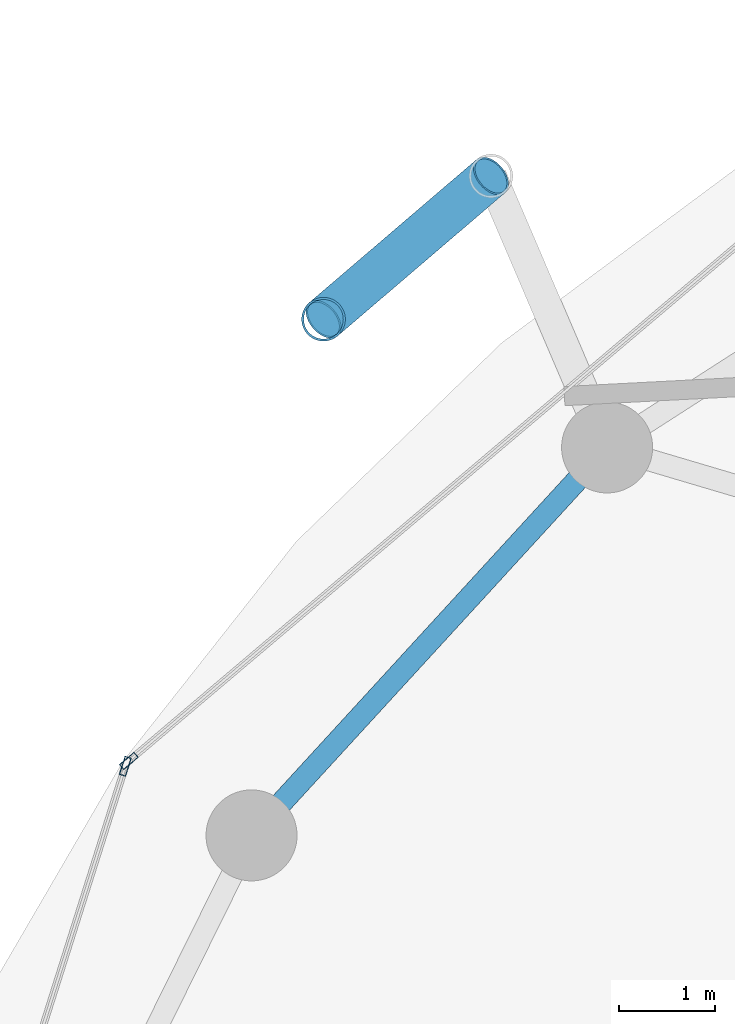
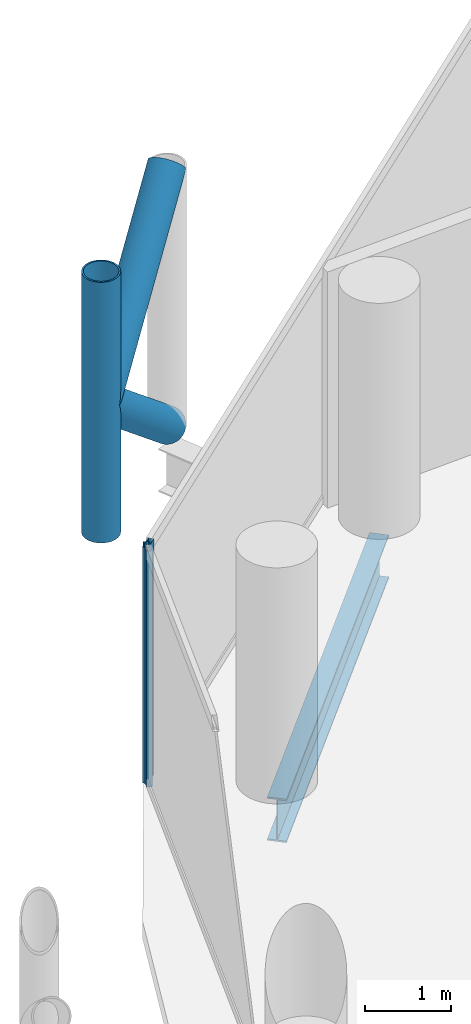
# One storey, part 13 of 26: 5 members, 1 beam, 2 elements without a shape of their own.
"""IFC4 building model written with IfcOpenShell, lengths in metres."""

from ifc_helpers import new_model, si_unit, direction, frame, origin, origin_2d, place, context, subcontext, project, spatial, hollow_rectangle, hollow_circle, i_section, extrude, material, layer, layer_set, material_profile, profile_set, type_object, element, aggregate, save


model = new_model("IFC4")

# Units and contexts
model_context = context("Model", 3, precision=1e-05, world=origin(), true_north=direction((0.0, 1.0)))
body_context = subcontext(model_context, "Body", "Model", "MODEL_VIEW")
ifc_project = project(units=[si_unit("LENGTHUNIT", "METRE"), si_unit("AREAUNIT", "SQUARE_METRE"), si_unit("VOLUMEUNIT", "CUBIC_METRE"), si_unit("PLANEANGLEUNIT", "RADIAN"), si_unit("MASSUNIT", "GRAM", prefix="KILO")], contexts=[model_context])

# Site, building, storey
site_placement = place(None, origin())
site = spatial("IfcSite", under=ifc_project, at=site_placement, CompositionType="ELEMENT")
building_placement = place(site_placement, origin())
building = spatial("IfcBuilding", under=site, at=building_placement, Name="Nuhasar Tower", CompositionType="ELEMENT")
storey_placement = place(building_placement, frame((0.0, 0.0, 192.25)))
storey = spatial("IfcBuildingStorey", under=building, at=storey_placement, Name="L47", CompositionType="ELEMENT", Elevation=192.25)

# Beam
ifc_material_1 = material(Name="Steel S355", Category="steel")
ifc_material_profile_1 = material_profile(ifc_material_1, i_section(OverallWidth=0.22998046875, OverallDepth=0.616943359375, WebThickness=0.01318359375, FlangeThickness=0.022216796875, at=origin_2d()), Name="W24X94")
ifc_profile_set_1 = profile_set([ifc_material_profile_1], Name="Steel S355")
beam_type = type_object("IfcBeamType", Name="BM-RING-W24X94", PredefinedType="SPANDREL", material=ifc_profile_set_1)
beam_placement = place(storey_placement, frame((22.489013671875, 40.6240234375, -0.55908203125), z_axis=(-0.675654174897, -0.737218716491, 0.0), x_axis=(0.737218716491, -0.675654174897, 0.0)))
element("IfcBeam", 1, at=beam_placement, inside=storey, type_object=beam_type, Name="L47 Perimeter Ring Spandrel 10", PredefinedType="SPANDREL", context=body_context, shape_type="SweptSolid", body=[
    extrude(i_section(OverallWidth=0.22998046875, OverallDepth=0.616943359375, WebThickness=0.01318359375, FlangeThickness=0.022216796875, at=origin_2d()), origin(), (0.0, 0.0, 1.0), 5.492431640625),
])

# Curtain wall, member
ifc_material_2 = material(Name="Aluminium 6063-T6", Category="aluminium")
ifc_layer = layer(ifc_material_2, 0.199951171875)
ifc_layer_set = layer_set([ifc_layer], Name="Aluminium 6063-T6")
curtain_wall_type = type_object("IfcCurtainWallType", Name="CW-Z2-HTL", PredefinedType="NOTDEFINED", material=ifc_layer_set)
curtain_wall_1_placement = place(storey_placement, origin())
curtain_wall_1 = element("IfcCurtainWall", 2, at=curtain_wall_1_placement, inside=storey, type_object=curtain_wall_type, Name="L47 Unitised Curtain Wall 05", PredefinedType="NOTDEFINED")
ifc_material_profile_2 = material_profile(ifc_material_2, hollow_rectangle(XDim=0.070068359375, YDim=0.199951171875, WallThickness=0.0048828125, at=origin_2d()), Name="CWM-3")
ifc_profile_set_2 = profile_set([ifc_material_profile_2], Name="Aluminium 6063-T6")
member_type_1 = type_object("IfcMemberType", Name="CW-MUL-S3", PredefinedType="MULLION", material=ifc_profile_set_2)
member_1_placement = place(storey_placement, frame((17.497802734375, 37.3525390625, 0.0), z_axis=(0.0, 0.0, 1.0), x_axis=(0.646374438324, -0.763020370292, 0.0)))
member_1 = element("IfcMember", 3, at=member_1_placement, type_object=member_type_1, Name="CW-Z2 mullion 2", PredefinedType="MULLION", context=body_context, shape_type="SweptSolid", body=[
    extrude(hollow_rectangle(XDim=0.070068359375, YDim=0.199951171875, WallThickness=0.0048828125, at=origin_2d()), origin(), (0.0, 0.0, 1.0), 3.35009765625),
])
aggregate(curtain_wall_1, [member_1])

curtain_wall_2_placement = place(storey_placement, origin())
curtain_wall_2 = element("IfcCurtainWall", 4, at=curtain_wall_2_placement, inside=storey, type_object=curtain_wall_type, Name="L47 Unitised Curtain Wall 06", PredefinedType="NOTDEFINED")
member_2_placement = place(storey_placement, frame((17.46044921875, 37.296630859375, 0.0), z_axis=(0.0, 0.0, 1.0), x_axis=(0.953433389233, -0.301603667577, 0.0)))
member_2 = element("IfcMember", 5, at=member_2_placement, type_object=member_type_1, Name="CW-Z2 mullion 1", PredefinedType="MULLION", context=body_context, shape_type="SweptSolid", body=[
    extrude(hollow_rectangle(XDim=0.070068359375, YDim=0.199951171875, WallThickness=0.0048828125, at=origin_2d()), origin(), (0.0, 0.0, 1.0), 3.35009765625),
])
aggregate(curtain_wall_2, [member_2])

# Members
ifc_material_3 = material(Name="Steel S460", Category="steel")
ifc_material_profile_3 = material_profile(ifc_material_3, hollow_circle(Radius=0.228515625, WallThickness=0.022216796875, at=origin_2d()), Name="HSS457X22.2")
ifc_profile_set_3 = profile_set([ifc_material_profile_3], Name="Steel S460")
member_type_2 = type_object("IfcMemberType", Name="EXO-BRONZE-457", PredefinedType="BRACE", material=ifc_profile_set_3)
member_3_placement = place(storey_placement, frame((19.529052734375, 41.9619140625, 0.0), z_axis=(0.0, 0.0, 1.0), x_axis=(1.0, 0.0, 0.0)))
element("IfcMember", 6, at=member_3_placement, inside=storey, type_object=member_type_2, Name="L47 Exoskeleton Chord Column EC-05B", PredefinedType="BRACE", context=body_context, shape_type="SweptSolid", body=[
    extrude(hollow_circle(Radius=0.228515625, WallThickness=0.022216796875, at=origin_2d()), origin(), (0.0, 0.0, 1.0), 3.699951171875),
])
member_4_placement = place(storey_placement, frame((21.277099609375, 43.45703125, 0.0), z_axis=(-0.592170370358, -0.506487618445, 0.626741210415), x_axis=(0.649986859795, -0.759945446788, 0.0)))
element("IfcMember", 7, at=member_4_placement, inside=storey, type_object=member_type_2, Name="L47 Bronze Diagrid Brace W1-05", PredefinedType="BRACE", context=body_context, shape_type="SweptSolid", body=[
    extrude(hollow_circle(Radius=0.228515625, WallThickness=0.022216796875, at=origin_2d()), origin(), (0.0, 0.0, 1.0), 2.951904296875),
])
member_5_placement = place(storey_placement, frame((19.529052734375, 41.9619140625, 1.85009765625), z_axis=(0.592201065785, 0.506513872468, 0.626690988192), x_axis=(-0.649986859795, 0.759945446788, 0.0)))
element("IfcMember", 8, at=member_5_placement, inside=storey, type_object=member_type_2, Name="L47 Bronze Diagrid Brace W2-05", PredefinedType="BRACE", context=body_context, shape_type="SweptSolid", body=[
    extrude(hollow_circle(Radius=0.228515625, WallThickness=0.022216796875, at=origin_2d()), origin(), (0.0, 0.0, 1.0), 2.95166015625),
])

save(model, "model.ifc")
